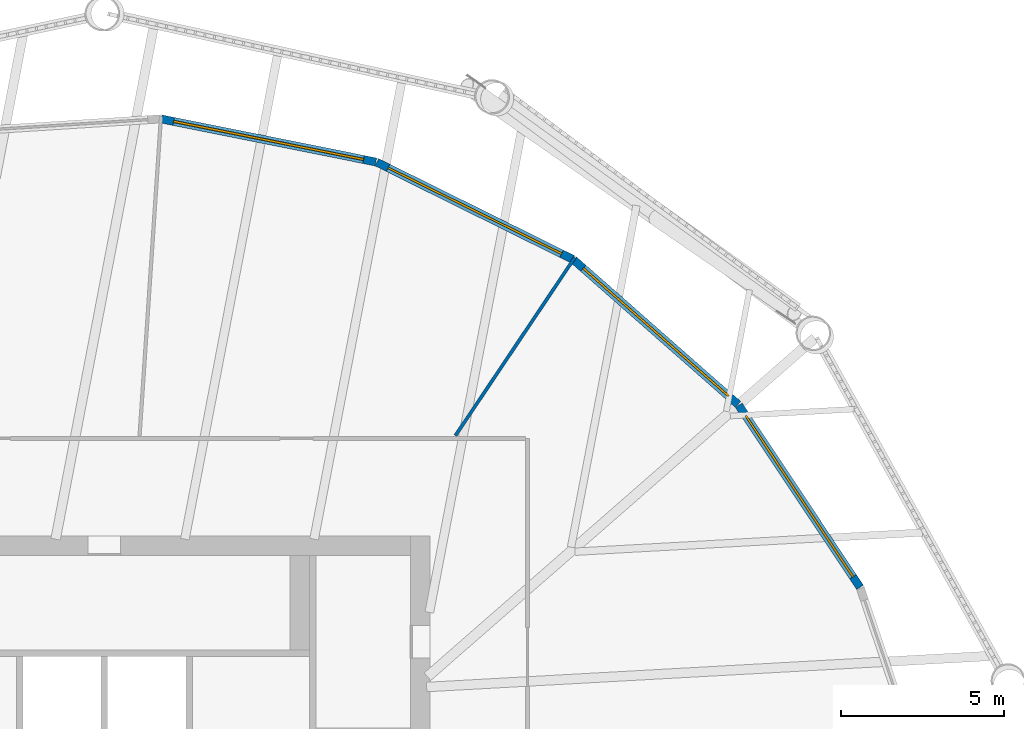
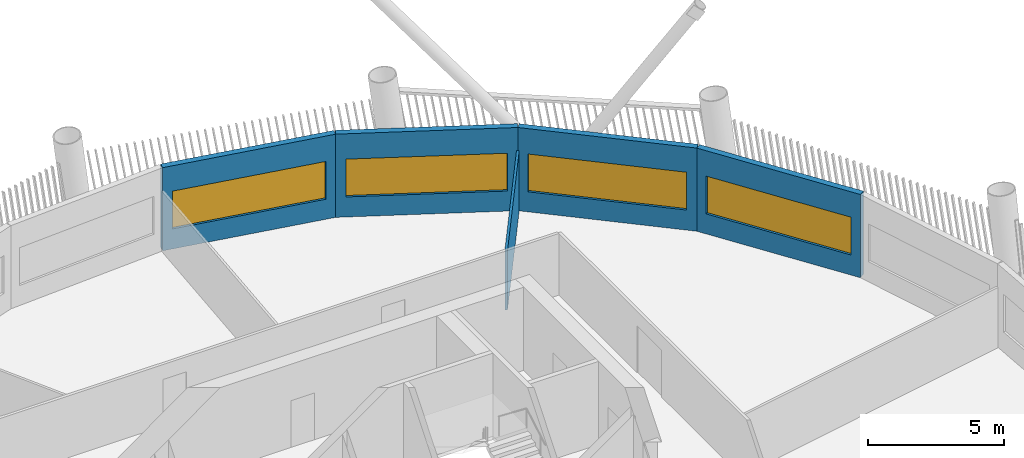
# One storey, part 7 of 23: 5 walls, 4 windows, 4 openings.
"""IFC4 building model written with IfcOpenShell, lengths in metres."""

import ifcopenshell
import ifcopenshell.guid

model = None  # the IFC model being written
_history = None  # IfcOwnerHistory: only IFC2X3 demands one
_inside = {}  # id of a spatial element -> (the spatial element, [elements in it])
_under = {}  # id of a project, library or spatial element -> (it, [spatial elements below it])
_declared = {}  # id of a project -> (the project, [libraries it declares])
_typed = {}  # id of a type object -> (the type object, [elements of that type])
_made_of = {}  # id of a material, layer set ... -> (it, [elements and type objects made of it])


def new_model(schema):
    """Start an empty IFC model of exactly this schema.

    Asked for "IFC4X3", IfcOpenShell would pick the latest addendum, in which some entities
    have other attributes; the version numbers below select the first issue.
    IFC2X3 requires an IfcOwnerHistory on every rooted entity: one is made here for all.
    """
    global model, _history
    if schema == "IFC4X3":
        model = ifcopenshell.file(schema_version=(4, 3, 0, 0))
    else:
        model = ifcopenshell.file(schema=schema)
    _inside.clear()
    _under.clear()
    _declared.clear()
    _typed.clear()
    _made_of.clear()
    _history = None
    if model.schema == "IFC2X3":
        org = make("IfcOrganization", Name="unknown")
        user = make(
            "IfcPersonAndOrganization",
            ThePerson=make("IfcPerson", FamilyName="unknown"),
            TheOrganization=org,
        )
        app = make(
            "IfcApplication",
            ApplicationDeveloper=org,
            Version="unknown",
            ApplicationFullName="unknown",
            ApplicationIdentifier="unknown",
        )
        _history = make(
            "IfcOwnerHistory",
            OwningUser=user,
            OwningApplication=app,
            ChangeAction="ADDED",
            CreationDate=0,
        )
    return model


def make(cls, **values):
    """One entity of the class cls with the attributes given. An attribute that is None is left unset."""
    return model.create_entity(
        cls, **{name: value for name, value in values.items() if value is not None}
    )


def rooted(cls, **values):
    """An entity with a GlobalId (a new one), such as an element, a storey or a relation."""
    return make(cls, GlobalId=ifcopenshell.guid.new(), OwnerHistory=_history, **values)


def si_unit(unit_type, name, prefix=None):
    """IfcSIUnit, for example si_unit("LENGTHUNIT", "METRE", prefix="MILLI")."""
    return make("IfcSIUnit", UnitType=unit_type, Prefix=prefix, Name=name)


def assignment(units):
    """IfcUnitAssignment: the units of a project."""
    return None if units is None else make("IfcUnitAssignment", Units=units)


def point(xyz):
    """IfcCartesianPoint."""
    return None if xyz is None else make("IfcCartesianPoint", Coordinates=xyz)


def direction(xyz):
    """IfcDirection."""
    return None if xyz is None else make("IfcDirection", DirectionRatios=xyz)


def frame(location, z_axis=None, x_axis=None):
    """IfcAxis2Placement3D, a coordinate frame: its origin and axes. An axis left out is left unset."""
    return make(
        "IfcAxis2Placement3D",
        Location=point(location),
        Axis=direction(z_axis),
        RefDirection=direction(x_axis),
    )


def frame_2d(location, x_axis=None):
    """IfcAxis2Placement2D, a coordinate frame in the plane: its origin and x axis."""
    return make(
        "IfcAxis2Placement2D", Location=point(location), RefDirection=direction(x_axis)
    )


def origin():
    """The frame at (0, 0, 0) with its axes left unset."""
    return frame((0.0, 0.0, 0.0))


def place(relative_to, where):
    """IfcLocalPlacement: puts the frame where relative to a parent placement (None: the world)."""
    return make(
        "IfcLocalPlacement", PlacementRelTo=relative_to, RelativePlacement=where
    )


def context(
    kind, dimensions, precision=None, world=None, true_north=None, identifier=None
):
    """IfcGeometricRepresentationContext, for example the 3D "Model" context."""
    return make(
        "IfcGeometricRepresentationContext",
        ContextIdentifier=identifier,
        ContextType=kind,
        CoordinateSpaceDimension=dimensions,
        Precision=precision,
        WorldCoordinateSystem=world,
        TrueNorth=true_north,
    )


def subcontext(parent, identifier, kind, view, scale=None):
    """IfcGeometricRepresentationSubContext, for example "Body" below "Model"."""
    return make(
        "IfcGeometricRepresentationSubContext",
        ContextIdentifier=identifier,
        ContextType=kind,
        ParentContext=parent,
        TargetScale=scale,
        TargetView=view,
    )


def project(units=None, contexts=None):
    """IfcProject with its units and contexts."""
    return rooted(
        "IfcProject",
        Name="project",
        RepresentationContexts=contexts,
        UnitsInContext=assignment(units),
    )


def spatial(cls, under=None, at=None, **own):
    """A site, building, storey or space (cls), placed at a placement, below another one or the project."""
    s = rooted(cls, ObjectPlacement=at, **own)
    if under is not None:
        _under.setdefault(under.id(), (under, []))[1].append(s)
    return s


def profile(cls, at=None, kind="AREA", **sizes):
    """A parametric profile (cls). Its sizes go by their IFC names, for example OverallWidth=200.0."""
    return make(cls, ProfileType=kind, Position=at, **sizes)


def rectangle(**sizes):
    """IfcRectangleProfileDef."""
    return profile("IfcRectangleProfileDef", **sizes)


def extrude(swept, where, along, depth):
    """IfcExtrudedAreaSolid: the profile swept, set in the frame where, extruded along a direction by depth."""
    return make(
        "IfcExtrudedAreaSolid",
        SweptArea=swept,
        Position=where,
        ExtrudedDirection=direction(along),
        Depth=depth,
    )


def shape(context_of_items, identifier, shape_type, items):
    """IfcShapeRepresentation: the items that make up one representation, for example the "Body"."""
    return make(
        "IfcShapeRepresentation",
        ContextOfItems=context_of_items,
        RepresentationIdentifier=identifier,
        RepresentationType=shape_type,
        Items=items,
    )


def material(Name=None, Category=None):
    """IfcMaterial."""
    return make("IfcMaterial", Name=Name, Category=Category)


def layer(
    of_material, thickness, ventilated=None, Name=None, Category=None, Priority=None
):
    """IfcMaterialLayer: one layer of a wall or slab, of a material (None: an air gap)."""
    return make(
        "IfcMaterialLayer",
        Material=of_material,
        LayerThickness=thickness,
        IsVentilated=ventilated,
        Name=Name,
        Category=Category,
        Priority=Priority,
    )


def layer_set(layers, Name=None):
    """IfcMaterialLayerSet."""
    return make("IfcMaterialLayerSet", MaterialLayers=layers, LayerSetName=Name)


def made_of(thing, what):
    """Note that an element or type object is made of a material, layer set ...; save() writes the relation."""
    if what is not None:
        _made_of.setdefault(what.id(), (what, []))[1].append(thing)
    return thing


def type_object(cls, material=None, **own):
    """A type object (cls), such as IfcWallType, which elements share."""
    return made_of(rooted(cls, **own), material)


def element(
    cls,
    number,
    at=None,
    inside=None,
    cuts=None,
    type_object=None,
    material=None,
    context=None,
    identifier="Body",
    shape_type=None,
    held_by="IfcProductDefinitionShape",
    body=None,
    shapes=None,
    **own,
):
    """One element of the class cls, such as IfcWall. Its Tag is "e" and its number.

    at: its placement. inside: the storey or other place that contains it. cuts: it is an
    opening in that element (IfcRelVoidsElement). A single representation is given by context,
    identifier, shape_type and body (its items); several are given by shapes. held_by: the class
    of the entity that holds the representations. save() writes the other relations.
    """
    e = rooted(cls, Tag="e%d" % number, ObjectPlacement=at, **own)
    if body is not None:
        shapes = [shape(context, identifier, shape_type, body)]
    if shapes is not None:
        e.Representation = make(held_by, Representations=shapes)
    if inside is not None:
        _inside.setdefault(inside.id(), (inside, []))[1].append(e)
    if cuts is not None:
        rooted(
            "IfcRelVoidsElement", RelatingBuildingElement=cuts, RelatedOpeningElement=e
        )
    if type_object is not None:
        _typed.setdefault(type_object.id(), (type_object, []))[1].append(e)
    return made_of(e, material)


def fill(opening, filler):
    """IfcRelFillsElement: the door or window that sits in an opening."""
    return rooted(
        "IfcRelFillsElement",
        RelatingOpeningElement=opening,
        RelatedBuildingElement=filler,
    )


def aggregate(whole, parts):
    """IfcRelAggregates: a whole, such as a stair, and the parts it consists of."""
    return rooted("IfcRelAggregates", RelatingObject=whole, RelatedObjects=parts)


def save(model, path):
    """Write the relations noted so far, then the file.

    IfcRelAggregates (storeys below a building ...), IfcRelContainedInSpatialStructure (elements
    in a storey), IfcRelDefinesByType, IfcRelAssociatesMaterial and IfcRelDeclares: one each for
    every whole, place, type object, material and project.
    """
    for whole, parts in _under.values():
        aggregate(whole, parts)
    for where, things in _inside.values():
        rooted(
            "IfcRelContainedInSpatialStructure",
            RelatedElements=things,
            RelatingStructure=where,
        )
    for kind, things in _typed.values():
        rooted("IfcRelDefinesByType", RelatedObjects=things, RelatingType=kind)
    for what, things in _made_of.values():
        rooted("IfcRelAssociatesMaterial", RelatedObjects=things, RelatingMaterial=what)
    for by, libraries in _declared.values():
        rooted("IfcRelDeclares", RelatingContext=by, RelatedDefinitions=libraries)
    model.write(path)


model = new_model("IFC4")

# Units and contexts
model_context = context("Model", 3, precision=1e-05, world=origin(), true_north=direction((0.0, 1.0)))
body_context = subcontext(model_context, "Body", "Model", "MODEL_VIEW")
ifc_project = project(units=[si_unit("LENGTHUNIT", "METRE"), si_unit("AREAUNIT", "SQUARE_METRE"), si_unit("VOLUMEUNIT", "CUBIC_METRE"), si_unit("PLANEANGLEUNIT", "RADIAN"), si_unit("MASSUNIT", "GRAM", prefix="KILO")], contexts=[model_context])

# Site, building, storey
site_placement = place(None, origin())
site = spatial("IfcSite", under=ifc_project, at=site_placement, CompositionType="ELEMENT")
building_placement = place(site_placement, origin())
building = spatial("IfcBuilding", under=site, at=building_placement, Name="Tarsis Ring Headquarters", CompositionType="ELEMENT")
storey_placement = place(building_placement, frame((0.0, 0.0, 239.39990234375)))
storey = spatial("IfcBuildingStorey", under=building, at=storey_placement, Name="L56", CompositionType="ELEMENT", Elevation=239.39990234375)

# Wall
ifc_material_1 = material(Name="Gypsum board on steel studs", Category="steel")
ifc_layer_1 = layer(ifc_material_1, 0.10009765625)
ifc_layer_set_1 = layer_set([ifc_layer_1], Name="FL partition 100 unrated")
wall_type_1 = type_object("IfcWallType", Name="FL partition 100 unrated", PredefinedType="PARTITIONING", material=ifc_layer_set_1)
wall_1_placement = place(storey_placement, frame((10.782958984375, 16.0830078125, 0.0), z_axis=(0.0, 0.0, 1.0), x_axis=(0.556863059256, 0.830604318094, 0.0)))
element("IfcWall", 1, at=wall_1_placement, inside=storey, type_object=wall_type_1, Name="Partition PW3", PredefinedType="PARTITIONING", context=body_context, shape_type="SweptSolid", body=[
    extrude(rectangle(XDim=6.584716796875, YDim=0.10009765625, at=frame_2d((3.29248046875, 0.0))), origin(), (0.0, 0.0, 1.0), 2.7001953125),
])

# Wall, opening, window
ifc_material_2 = material(Name="Terracotta clad insulated panel wall", Category="masonry")
ifc_layer_2 = layer(ifc_material_2, 0.25)
ifc_layer_set_2 = layer_set([ifc_layer_2], Name="Facade wall terracotta panel 250")
wall_type_2 = type_object("IfcWallType", Name="Facade wall terracotta panel 250", PredefinedType="STANDARD", material=ifc_layer_set_2)
wall_2_placement = place(storey_placement, frame((23.21435546875, 11.4208984375, 0.0), z_axis=(0.0, 0.0, 1.0), x_axis=(-0.554239099666, 0.832357507566, 0.0)))
wall_2 = element("IfcWall", 2, at=wall_2_placement, inside=storey, type_object=wall_type_2, Name="External wall L56-23", PredefinedType="STANDARD", context=body_context, shape_type="SweptSolid", body=[
    extrude(rectangle(XDim=6.721435546875, YDim=0.25, at=frame_2d((3.36083984375, 0.0))), origin(), (0.0, 0.0, 1.0), 3.739990234375),
])
opening_1_placement = place(wall_2_placement, frame((0.3857421875, 0.0, 0.89990234375)))
opening_1 = element("IfcOpeningElement", 3, at=opening_1_placement, cuts=wall_2, Name="Opening WN07", PredefinedType="OPENING", context=body_context, shape_type="SweptSolid", body=[
    extrude(rectangle(XDim=5.949951171875, YDim=1.699951171875, at=frame_2d((2.97509765625, 0.85009765625))), frame((0.0, 0.135009765625, 0.0), z_axis=(0.0, -1.0, 0.0), x_axis=(1.0, 0.0, 0.0)), (0.0, 0.0, 1.0), 0.27001953125),
])
ifc_material_3 = material(Name="Aluminium framed double glazing", Category="aluminium")
window_type = type_object("IfcWindowType", Name="Facade window 5950 x 1700", PartitioningType="SINGLE_PANEL", PredefinedType="WINDOW", material=ifc_material_3)
window_1_placement = place(opening_1_placement, origin())
window_1 = element("IfcWindow", 4, at=window_1_placement, inside=storey, type_object=window_type, Name="Window L56-23.1", OverallHeight=1.699951171875, OverallWidth=5.949951171875, PartitioningType="SINGLE_PANEL", PredefinedType="WINDOW", context=body_context, shape_type="SweptSolid", body=[
    extrude(rectangle(XDim=5.949951171875, YDim=1.699951171875, at=frame_2d((2.97509765625, 0.85009765625))), frame((0.0, 0.030029296875, 0.0), z_axis=(0.0, -1.0, 0.0), x_axis=(1.0, 0.0, 0.0)), (0.0, 0.0, 1.0), 0.06005859375),
])
fill(opening_1, window_1)

wall_3_placement = place(storey_placement, frame((19.467529296875, 17.0400390625, 0.0), z_axis=(0.0, 0.0, 1.0), x_axis=(-0.750794210402, 0.660536186463, 0.0)))
wall_3 = element("IfcWall", 5, at=wall_3_placement, inside=storey, type_object=wall_type_2, Name="External wall L56-24", PredefinedType="STANDARD", context=body_context, shape_type="SweptSolid", body=[
    extrude(rectangle(XDim=6.7216796875, YDim=0.25, at=frame_2d((3.36083984375, 0.0))), origin(), (0.0, 0.0, 1.0), 3.739990234375),
])
opening_2_placement = place(wall_3_placement, frame((0.3857421875, 0.0, 0.89990234375)))
opening_2 = element("IfcOpeningElement", 6, at=opening_2_placement, cuts=wall_3, Name="Opening WN07", PredefinedType="OPENING", context=body_context, shape_type="SweptSolid", body=[
    extrude(rectangle(XDim=5.949951171875, YDim=1.699951171875, at=frame_2d((2.97509765625, 0.85009765625))), frame((0.0, 0.135009765625, 0.0), z_axis=(0.0, -1.0, 0.0), x_axis=(1.0, 0.0, 0.0)), (0.0, 0.0, 1.0), 0.27001953125),
])
window_2_placement = place(opening_2_placement, origin())
window_2 = element("IfcWindow", 7, at=window_2_placement, inside=storey, type_object=window_type, Name="Window L56-24.1", OverallHeight=1.699951171875, OverallWidth=5.949951171875, PartitioningType="SINGLE_PANEL", PredefinedType="WINDOW", context=body_context, shape_type="SweptSolid", body=[
    extrude(rectangle(XDim=5.949951171875, YDim=1.699951171875, at=frame_2d((2.97509765625, 0.85009765625))), frame((0.0, 0.030029296875, 0.0), z_axis=(0.0, -1.0, 0.0), x_axis=(1.0, 0.0, 0.0)), (0.0, 0.0, 1.0), 0.06005859375),
])
fill(opening_2, window_2)

wall_4_placement = place(storey_placement, frame((14.393798828125, 21.498046875, 0.0), z_axis=(0.0, 0.0, 1.0), x_axis=(-0.896171054575, 0.443708734353, 0.0)))
wall_4 = element("IfcWall", 8, at=wall_4_placement, inside=storey, type_object=wall_type_2, Name="External wall L56-25", PredefinedType="STANDARD", context=body_context, shape_type="SweptSolid", body=[
    extrude(rectangle(XDim=6.7216796875, YDim=0.25, at=frame_2d((3.36083984375, 0.0))), origin(), (0.0, 0.0, 1.0), 3.739990234375),
])
opening_3_placement = place(wall_4_placement, frame((0.3857421875, 0.0, 0.89990234375)))
opening_3 = element("IfcOpeningElement", 9, at=opening_3_placement, cuts=wall_4, Name="Opening WN07", PredefinedType="OPENING", context=body_context, shape_type="SweptSolid", body=[
    extrude(rectangle(XDim=5.949951171875, YDim=1.699951171875, at=frame_2d((2.97509765625, 0.85009765625))), frame((0.0, 0.135009765625, 0.0), z_axis=(0.0, -1.0, 0.0), x_axis=(1.0, 0.0, 0.0)), (0.0, 0.0, 1.0), 0.27001953125),
])
window_3_placement = place(opening_3_placement, origin())
window_3 = element("IfcWindow", 10, at=window_3_placement, inside=storey, type_object=window_type, Name="Window L56-25.1", OverallHeight=1.699951171875, OverallWidth=5.949951171875, PartitioningType="SINGLE_PANEL", PredefinedType="WINDOW", context=body_context, shape_type="SweptSolid", body=[
    extrude(rectangle(XDim=5.949951171875, YDim=1.699951171875, at=frame_2d((2.97509765625, 0.85009765625))), frame((0.0, 0.030029296875, 0.0), z_axis=(0.0, -1.0, 0.0), x_axis=(1.0, 0.0, 0.0)), (0.0, 0.0, 1.0), 0.06005859375),
])
fill(opening_3, window_3)

wall_5_placement = place(storey_placement, frame((8.33935546875, 24.490966796875, 0.0), z_axis=(0.0, 0.0, 1.0), x_axis=(-0.980481362743, 0.196612047734, 0.0)))
wall_5 = element("IfcWall", 11, at=wall_5_placement, inside=storey, type_object=wall_type_2, Name="External wall L56-26", PredefinedType="STANDARD", context=body_context, shape_type="SweptSolid", body=[
    extrude(rectangle(XDim=6.721435546875, YDim=0.25, at=frame_2d((3.36083984375, 0.0))), origin(), (0.0, 0.0, 1.0), 3.739990234375),
])
opening_4_placement = place(wall_5_placement, frame((0.3857421875, 0.0, 0.89990234375)))
opening_4 = element("IfcOpeningElement", 12, at=opening_4_placement, cuts=wall_5, Name="Opening WN07", PredefinedType="OPENING", context=body_context, shape_type="SweptSolid", body=[
    extrude(rectangle(XDim=5.949951171875, YDim=1.699951171875, at=frame_2d((2.97509765625, 0.85009765625))), frame((0.0, 0.135009765625, 0.0), z_axis=(0.0, -1.0, 0.0), x_axis=(1.0, 0.0, 0.0)), (0.0, 0.0, 1.0), 0.27001953125),
])
window_4_placement = place(opening_4_placement, origin())
window_4 = element("IfcWindow", 13, at=window_4_placement, inside=storey, type_object=window_type, Name="Window L56-26.1", OverallHeight=1.699951171875, OverallWidth=5.949951171875, PartitioningType="SINGLE_PANEL", PredefinedType="WINDOW", context=body_context, shape_type="SweptSolid", body=[
    extrude(rectangle(XDim=5.949951171875, YDim=1.699951171875, at=frame_2d((2.97509765625, 0.85009765625))), frame((0.0, 0.030029296875, 0.0), z_axis=(0.0, -1.0, 0.0), x_axis=(1.0, 0.0, 0.0)), (0.0, 0.0, 1.0), 0.06005859375),
])
fill(opening_4, window_4)

save(model, "model.ifc")
